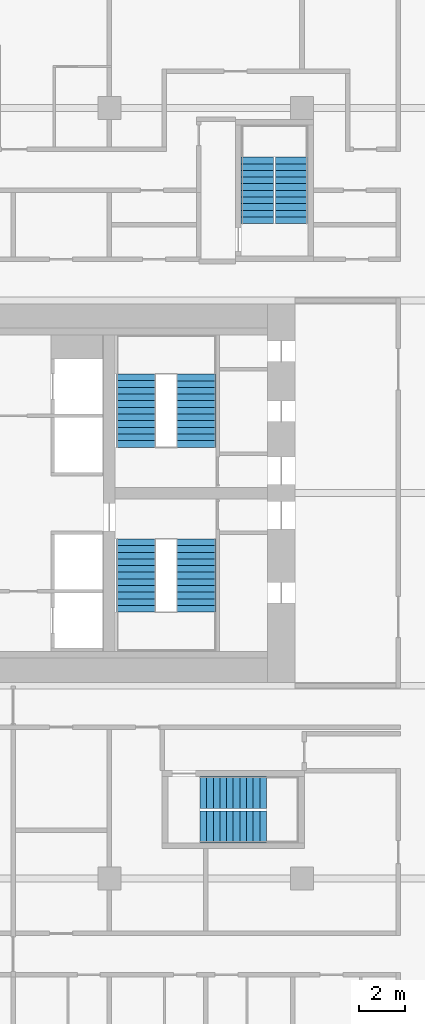
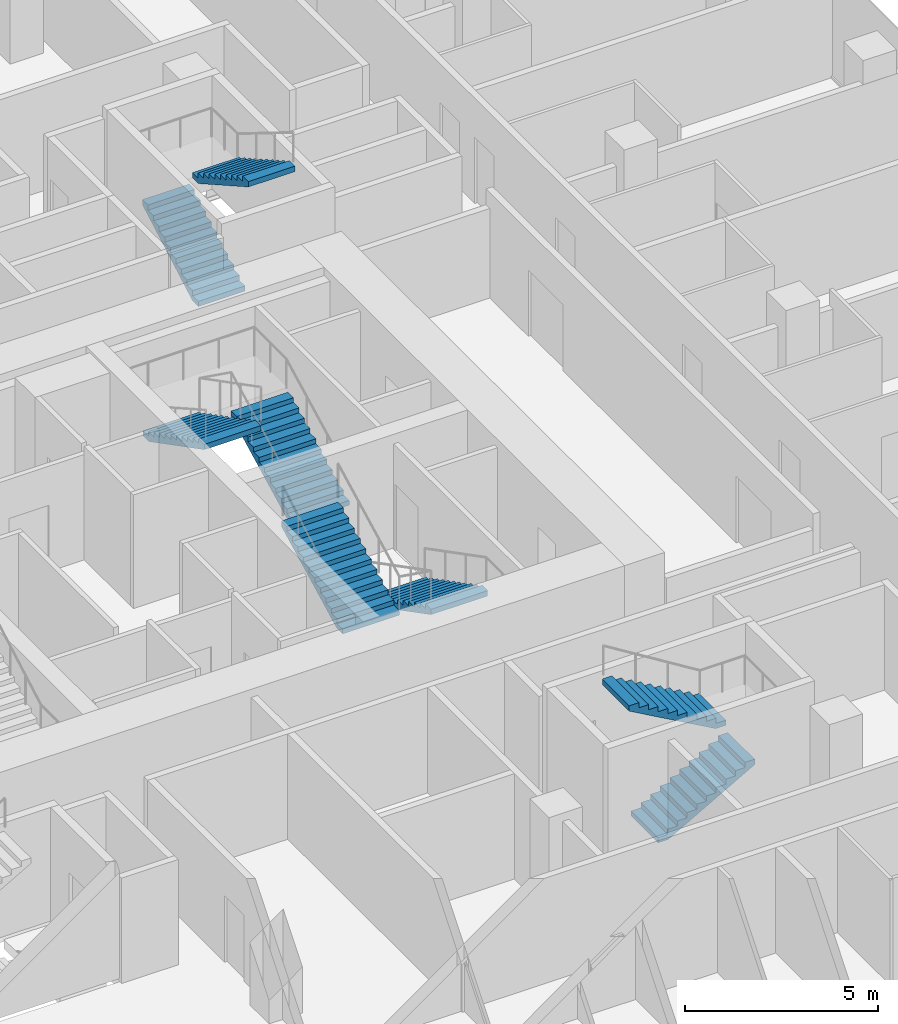
# One storey, part 24 of 26: 8 stair flights, 4 elements without a shape of their own.
"""IFC4 building model written with IfcOpenShell, lengths in metres."""

from ifc_helpers import new_model, si_unit, direction, frame, origin, place, context, subcontext, project, spatial, polyline, outline, extrude, material, type_object, element, aggregate, save


model = new_model("IFC4")

# Units and contexts
model_context = context("Model", 3, precision=1e-05, world=origin(), true_north=direction((0.0, 1.0)))
body_context = subcontext(model_context, "Body", "Model", "MODEL_VIEW")
ifc_project = project(units=[si_unit("LENGTHUNIT", "METRE"), si_unit("AREAUNIT", "SQUARE_METRE"), si_unit("VOLUMEUNIT", "CUBIC_METRE"), si_unit("PLANEANGLEUNIT", "RADIAN"), si_unit("MASSUNIT", "GRAM", prefix="KILO")], contexts=[model_context])

# Site, building, storey
site_placement = place(None, origin())
site = spatial("IfcSite", under=ifc_project, at=site_placement, CompositionType="ELEMENT")
building_placement = place(site_placement, origin())
building = spatial("IfcBuilding", under=site, at=building_placement, Name="Marenta Gate Hotel Tower", CompositionType="ELEMENT")
storey_placement = place(building_placement, frame((0.0, 0.0, 65.300048828125)))
storey = spatial("IfcBuildingStorey", under=building, at=storey_placement, Name="L14", CompositionType="ELEMENT", Elevation=65.300048828125)

# Stair, stair flights
ifc_material_1 = material(Name="Concrete C40", Category="concrete")
stair_type_1 = type_object("IfcStairType", Name="Core exit stair 1700 wide", PredefinedType="HALF_TURN_STAIR", material=ifc_material_1)
stair_1_placement = place(storey_placement, origin())
stair_1 = element("IfcStair", 1, at=stair_1_placement, inside=storey, type_object=stair_type_1, Name="Exit stair 3", PredefinedType="HALF_TURN_STAIR")
ifc_material_2 = material(Name="Concrete C40", Category="concrete")
stair_flight_type_1 = type_object("IfcStairFlightType", Name="Core stair flight 1700 riser 150.0 going 290", PredefinedType="STRAIGHT", material=ifc_material_2)
stair_flight_1_placement = place(storey_placement, frame((8.0, 6.39990234375, 0.0), z_axis=(0.0, 0.0, 1.0), x_axis=(0.0, -1.0, 0.0)))
stair_flight_1 = element("IfcStairFlight", 2, at=stair_flight_1_placement, type_object=stair_flight_type_1, Name="ST3 flight 1", NumberOfRisers=12, NumberOfTreads=11, PredefinedType="STRAIGHT", RiserHeight=0.15, TreadLength=0.29, context=body_context, shape_type="SweptSolid", body=[
    extrude(outline(polyline([(0.0, 0.0), (0.0, 0.14990234375), (0.2900390625, 0.14990234375), (0.2900390625, 0.300048828125), (0.580078125, 0.300048828125), (0.580078125, 0.449951171875), (0.8701171875, 0.449951171875), (0.8701171875, 0.60009765625), (1.159912109375, 0.60009765625), (1.159912109375, 0.75), (1.449951171875, 0.75), (1.449951171875, 0.89990234375), (1.739990234375, 0.89990234375), (1.739990234375, 1.050048828125), (2.030029296875, 1.050048828125), (2.030029296875, 1.199951171875), (2.320068359375, 1.199951171875), (2.320068359375, 1.35009765625), (2.610107421875, 1.35009765625), (2.610107421875, 1.5), (2.89990234375, 1.5), (2.89990234375, 1.64990234375), (3.18994140625, 1.64990234375), (3.18994140625, 1.800048828125), (3.18994140625, 1.481201171875), (0.326171875, 0.0), (0.0, 0.0)])), frame((0.0, 0.85009765625, 0.0), z_axis=(0.0, -1.0, 0.0), x_axis=(1.0, 0.0, 0.0)), (0.0, 0.0, 1.0), 1.699951171875),
])
stair_flight_2_placement = place(storey_placement, frame((5.35009765625, 3.2099609375, 1.800048828125), z_axis=(0.0, 0.0, 1.0), x_axis=(0.0, 1.0, 0.0)))
stair_flight_2 = element("IfcStairFlight", 3, at=stair_flight_2_placement, type_object=stair_flight_type_1, Name="ST3 flight 2", NumberOfRisers=12, NumberOfTreads=11, PredefinedType="STRAIGHT", RiserHeight=0.15, TreadLength=0.29, context=body_context, shape_type="SweptSolid", body=[
    extrude(outline(polyline([(0.0, 0.0), (0.0, 0.14990234375), (0.2900390625, 0.14990234375), (0.2900390625, 0.300048828125), (0.580078125, 0.300048828125), (0.580078125, 0.449951171875), (0.8701171875, 0.449951171875), (0.8701171875, 0.60009765625), (1.159912109375, 0.60009765625), (1.159912109375, 0.75), (1.449951171875, 0.75), (1.449951171875, 0.89990234375), (1.739990234375, 0.89990234375), (1.739990234375, 1.050048828125), (2.030029296875, 1.050048828125), (2.030029296875, 1.199951171875), (2.320068359375, 1.199951171875), (2.320068359375, 1.35009765625), (2.610107421875, 1.35009765625), (2.610107421875, 1.5), (2.89990234375, 1.5), (2.89990234375, 1.64990234375), (3.18994140625, 1.64990234375), (3.18994140625, 1.800048828125), (3.18994140625, 1.481201171875), (0.326171875, 0.0), (0.0, 0.0)])), frame((0.0, 0.85009765625, 0.0), z_axis=(0.0, -1.0, 0.0), x_axis=(1.0, 0.0, 0.0)), (0.0, 0.0, 1.0), 1.699951171875),
])
aggregate(stair_1, [stair_flight_1, stair_flight_2])

stair_2_placement = place(storey_placement, origin())
stair_2 = element("IfcStair", 4, at=stair_2_placement, inside=storey, type_object=stair_type_1, Name="Exit stair 4", PredefinedType="HALF_TURN_STAIR")
stair_flight_3_placement = place(storey_placement, frame((8.0, 10.39990234375, 0.0), z_axis=(0.0, 0.0, 1.0), x_axis=(0.0, 1.0, 0.0)))
stair_flight_3 = element("IfcStairFlight", 5, at=stair_flight_3_placement, type_object=stair_flight_type_1, Name="ST4 flight 1", NumberOfRisers=12, NumberOfTreads=11, PredefinedType="STRAIGHT", RiserHeight=0.15, TreadLength=0.29, context=body_context, shape_type="SweptSolid", body=[
    extrude(outline(polyline([(0.0, 0.0), (0.0, 0.14990234375), (0.2900390625, 0.14990234375), (0.2900390625, 0.300048828125), (0.580078125, 0.300048828125), (0.580078125, 0.449951171875), (0.8701171875, 0.449951171875), (0.8701171875, 0.60009765625), (1.159912109375, 0.60009765625), (1.159912109375, 0.75), (1.449951171875, 0.75), (1.449951171875, 0.89990234375), (1.739990234375, 0.89990234375), (1.739990234375, 1.050048828125), (2.030029296875, 1.050048828125), (2.030029296875, 1.199951171875), (2.320068359375, 1.199951171875), (2.320068359375, 1.35009765625), (2.610107421875, 1.35009765625), (2.610107421875, 1.5), (2.89990234375, 1.5), (2.89990234375, 1.64990234375), (3.18994140625, 1.64990234375), (3.18994140625, 1.800048828125), (3.18994140625, 1.481201171875), (0.326171875, 0.0), (0.0, 0.0)])), frame((0.0, 0.85009765625, 0.0), z_axis=(0.0, -1.0, 0.0), x_axis=(1.0, 0.0, 0.0)), (0.0, 0.0, 1.0), 1.699951171875),
])
stair_flight_4_placement = place(storey_placement, frame((5.35009765625, 13.590087890625, 1.800048828125), z_axis=(0.0, 0.0, 1.0), x_axis=(0.0, -1.0, 0.0)))
stair_flight_4 = element("IfcStairFlight", 6, at=stair_flight_4_placement, type_object=stair_flight_type_1, Name="ST4 flight 2", NumberOfRisers=12, NumberOfTreads=11, PredefinedType="STRAIGHT", RiserHeight=0.15, TreadLength=0.29, context=body_context, shape_type="SweptSolid", body=[
    extrude(outline(polyline([(0.0, 0.0), (0.0, 0.14990234375), (0.2900390625, 0.14990234375), (0.2900390625, 0.300048828125), (0.580078125, 0.300048828125), (0.580078125, 0.449951171875), (0.8701171875, 0.449951171875), (0.8701171875, 0.60009765625), (1.159912109375, 0.60009765625), (1.159912109375, 0.75), (1.449951171875, 0.75), (1.449951171875, 0.89990234375), (1.739990234375, 0.89990234375), (1.739990234375, 1.050048828125), (2.030029296875, 1.050048828125), (2.030029296875, 1.199951171875), (2.320068359375, 1.199951171875), (2.320068359375, 1.35009765625), (2.610107421875, 1.35009765625), (2.610107421875, 1.5), (2.89990234375, 1.5), (2.89990234375, 1.64990234375), (3.18994140625, 1.64990234375), (3.18994140625, 1.800048828125), (3.18994140625, 1.481201171875), (0.326171875, 0.0), (0.0, 0.0)])), frame((0.0, 0.85009765625, 0.0), z_axis=(0.0, -1.0, 0.0), x_axis=(1.0, 0.0, 0.0)), (0.0, 0.0, 1.0), 1.699951171875),
])
aggregate(stair_2, [stair_flight_3, stair_flight_4])

ifc_material_3 = material(Name="Concrete C40", Category="concrete")
stair_type_2 = type_object("IfcStairType", Name="Remote exit stair 1400 wide", PredefinedType="HALF_TURN_STAIR", material=ifc_material_3)
stair_3_placement = place(storey_placement, origin())
stair_3 = element("IfcStair", 7, at=stair_3_placement, inside=storey, type_object=stair_type_2, Name="Exit stair RS-Z1-1", PredefinedType="HALF_TURN_STAIR")
ifc_material_4 = material(Name="Concrete C40", Category="concrete")
stair_flight_type_2 = type_object("IfcStairFlightType", Name="Remote stair flight 1400 riser 163.6 going 290", PredefinedType="STRAIGHT", material=ifc_material_4)
stair_flight_5_placement = place(storey_placement, frame((8.14990234375, -6.14990234375, 0.0), z_axis=(0.0, 0.0, 1.0), x_axis=(1.0, 0.0, 0.0)))
stair_flight_5 = element("IfcStairFlight", 8, at=stair_flight_5_placement, type_object=stair_flight_type_2, Name="RS-Z1-1 flight 1", NumberOfRisers=11, NumberOfTreads=10, PredefinedType="STRAIGHT", RiserHeight=0.163636, TreadLength=0.29, context=body_context, shape_type="SweptSolid", body=[
    extrude(outline(polyline([(0.0, 0.0), (0.0, 0.16357421875), (0.2900390625, 0.16357421875), (0.2900390625, 0.327392578125), (0.580078125, 0.327392578125), (0.580078125, 0.490966796875), (0.8701171875, 0.490966796875), (0.8701171875, 0.654541015625), (1.159912109375, 0.654541015625), (1.159912109375, 0.818115234375), (1.449951171875, 0.818115234375), (1.449951171875, 0.98193359375), (1.739990234375, 0.98193359375), (1.739990234375, 1.1455078125), (2.030029296875, 1.1455078125), (2.030029296875, 1.30908203125), (2.320068359375, 1.30908203125), (2.320068359375, 1.47265625), (2.610107421875, 1.47265625), (2.610107421875, 1.636474609375), (2.89990234375, 1.636474609375), (2.89990234375, 1.800048828125), (2.89990234375, 1.46435546875), (0.304931640625, 0.0), (0.0, 0.0)])), frame((0.0, 0.699951171875, 0.0), z_axis=(0.0, -1.0, 0.0), x_axis=(1.0, 0.0, 0.0)), (0.0, 0.0, 1.0), 1.39990234375),
])
stair_flight_6_placement = place(storey_placement, frame((11.050048828125, -4.64990234375, 1.800048828125), z_axis=(0.0, 0.0, 1.0), x_axis=(-1.0, 0.0, 0.0)))
stair_flight_6 = element("IfcStairFlight", 9, at=stair_flight_6_placement, type_object=stair_flight_type_2, Name="RS-Z1-1 flight 2", NumberOfRisers=11, NumberOfTreads=10, PredefinedType="STRAIGHT", RiserHeight=0.163636, TreadLength=0.29, context=body_context, shape_type="SweptSolid", body=[
    extrude(outline(polyline([(0.0, 0.0), (0.0, 0.16357421875), (0.2900390625, 0.16357421875), (0.2900390625, 0.327392578125), (0.580078125, 0.327392578125), (0.580078125, 0.490966796875), (0.8701171875, 0.490966796875), (0.8701171875, 0.654541015625), (1.159912109375, 0.654541015625), (1.159912109375, 0.818115234375), (1.449951171875, 0.818115234375), (1.449951171875, 0.98193359375), (1.739990234375, 0.98193359375), (1.739990234375, 1.1455078125), (2.030029296875, 1.1455078125), (2.030029296875, 1.30908203125), (2.320068359375, 1.30908203125), (2.320068359375, 1.47265625), (2.610107421875, 1.47265625), (2.610107421875, 1.636474609375), (2.89990234375, 1.636474609375), (2.89990234375, 1.800048828125), (2.89990234375, 1.46435546875), (0.304931640625, 0.0), (0.0, 0.0)])), frame((0.0, 0.699951171875, 0.0), z_axis=(0.0, -1.0, 0.0), x_axis=(1.0, 0.0, 0.0)), (0.0, 0.0, 1.0), 1.39990234375),
])
aggregate(stair_3, [stair_flight_5, stair_flight_6])

stair_4_placement = place(storey_placement, origin())
stair_4 = element("IfcStair", 10, at=stair_4_placement, inside=storey, type_object=stair_type_2, Name="Exit stair RS-Z1-4", PredefinedType="HALF_TURN_STAIR")
stair_flight_7_placement = place(storey_placement, frame((10.64990234375, 20.14990234375, 0.0), z_axis=(0.0, 0.0, 1.0), x_axis=(0.0, 1.0, 0.0)))
stair_flight_7 = element("IfcStairFlight", 11, at=stair_flight_7_placement, type_object=stair_flight_type_2, Name="RS-Z1-4 flight 1", NumberOfRisers=11, NumberOfTreads=10, PredefinedType="STRAIGHT", RiserHeight=0.163636, TreadLength=0.29, context=body_context, shape_type="SweptSolid", body=[
    extrude(outline(polyline([(0.0, 0.0), (0.0, 0.16357421875), (0.2900390625, 0.16357421875), (0.2900390625, 0.327392578125), (0.580078125, 0.327392578125), (0.580078125, 0.490966796875), (0.8701171875, 0.490966796875), (0.8701171875, 0.654541015625), (1.159912109375, 0.654541015625), (1.159912109375, 0.818115234375), (1.449951171875, 0.818115234375), (1.449951171875, 0.98193359375), (1.739990234375, 0.98193359375), (1.739990234375, 1.1455078125), (2.030029296875, 1.1455078125), (2.030029296875, 1.30908203125), (2.320068359375, 1.30908203125), (2.320068359375, 1.47265625), (2.610107421875, 1.47265625), (2.610107421875, 1.636474609375), (2.89990234375, 1.636474609375), (2.89990234375, 1.800048828125), (2.89990234375, 1.46435546875), (0.304931640625, 0.0), (0.0, 0.0)])), frame((0.0, 0.699951171875, 0.0), z_axis=(0.0, -1.0, 0.0), x_axis=(1.0, 0.0, 0.0)), (0.0, 0.0, 1.0), 1.39990234375),
])
stair_flight_8_placement = place(storey_placement, frame((12.14990234375, 23.050048828125, 1.800048828125), z_axis=(0.0, 0.0, 1.0), x_axis=(0.0, -1.0, 0.0)))
stair_flight_8 = element("IfcStairFlight", 12, at=stair_flight_8_placement, type_object=stair_flight_type_2, Name="RS-Z1-4 flight 2", NumberOfRisers=11, NumberOfTreads=10, PredefinedType="STRAIGHT", RiserHeight=0.163636, TreadLength=0.29, context=body_context, shape_type="SweptSolid", body=[
    extrude(outline(polyline([(0.0, 0.0), (0.0, 0.16357421875), (0.2900390625, 0.16357421875), (0.2900390625, 0.327392578125), (0.580078125, 0.327392578125), (0.580078125, 0.490966796875), (0.8701171875, 0.490966796875), (0.8701171875, 0.654541015625), (1.159912109375, 0.654541015625), (1.159912109375, 0.818115234375), (1.449951171875, 0.818115234375), (1.449951171875, 0.98193359375), (1.739990234375, 0.98193359375), (1.739990234375, 1.1455078125), (2.030029296875, 1.1455078125), (2.030029296875, 1.30908203125), (2.320068359375, 1.30908203125), (2.320068359375, 1.47265625), (2.610107421875, 1.47265625), (2.610107421875, 1.636474609375), (2.89990234375, 1.636474609375), (2.89990234375, 1.800048828125), (2.89990234375, 1.46435546875), (0.304931640625, 0.0), (0.0, 0.0)])), frame((0.0, 0.699951171875, 0.0), z_axis=(0.0, -1.0, 0.0), x_axis=(1.0, 0.0, 0.0)), (0.0, 0.0, 1.0), 1.39990234375),
])
aggregate(stair_4, [stair_flight_7, stair_flight_8])

save(model, "model.ifc")
